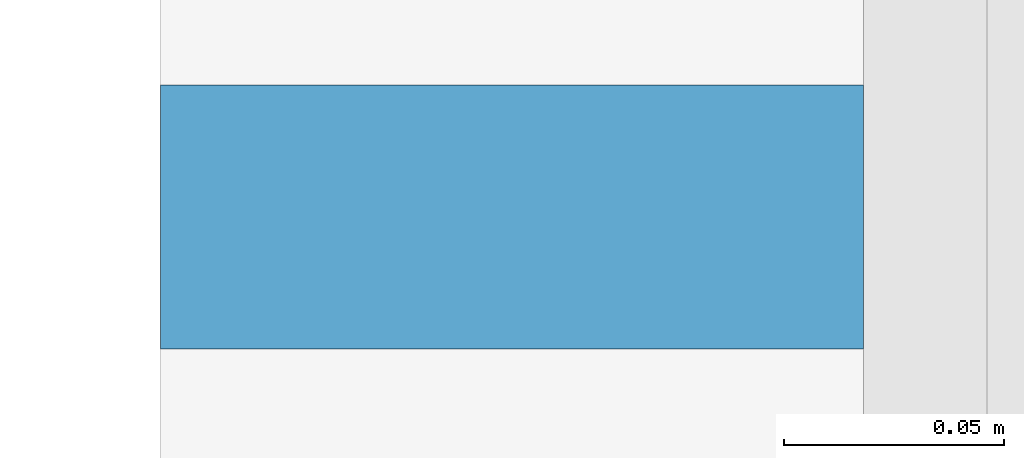
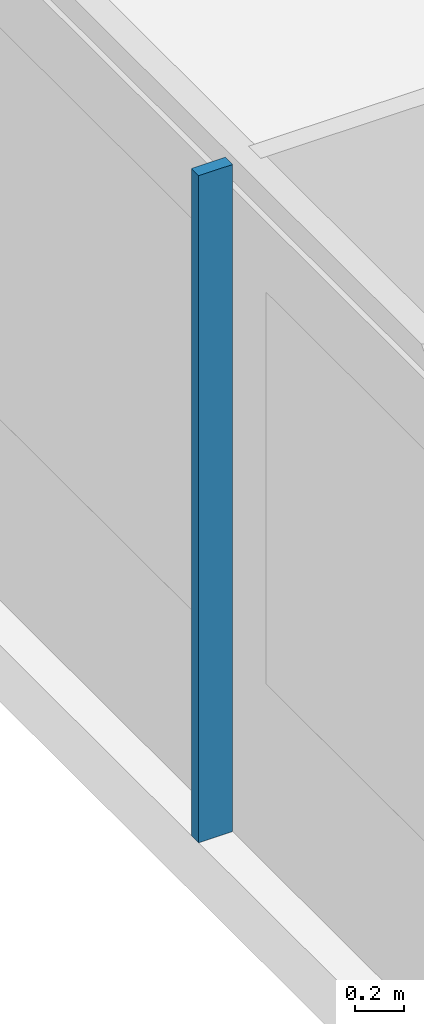
# One storey, part 4 of 30: 1 member, 1 element without a shape of its own.
"""IFC4 building model written with IfcOpenShell, lengths in metres."""

from ifc_helpers import new_model, si_unit, direction, frame, origin, origin_2d, place, context, subcontext, project, spatial, rectangle, extrude, material, material_profile, profile_set, type_object, element, aggregate, save


model = new_model("IFC4")

# Units and contexts
model_context = context("Model", 3, precision=1e-05, world=origin(), true_north=direction((0.0, 1.0)))
body_context = subcontext(model_context, "Body", "Model", "MODEL_VIEW")
ifc_project = project(units=[si_unit("LENGTHUNIT", "METRE"), si_unit("AREAUNIT", "SQUARE_METRE"), si_unit("VOLUMEUNIT", "CUBIC_METRE"), si_unit("PLANEANGLEUNIT", "RADIAN"), si_unit("MASSUNIT", "GRAM", prefix="KILO")], contexts=[model_context])

# Site, building, storey
site_placement = place(None, origin())
site = spatial("IfcSite", under=ifc_project, at=site_placement, CompositionType="ELEMENT")
building_placement = place(site_placement, origin())
building = spatial("IfcBuilding", under=site, at=building_placement, Name="Saffron Gate Tower", CompositionType="ELEMENT")
storey_placement = place(building_placement, frame((0.0, 0.0, 127.64990234375)))
storey = spatial("IfcBuildingStorey", under=building, at=storey_placement, Name="L30", CompositionType="ELEMENT", Elevation=127.64990234375)

# Curtain wall, member
ifc_material = material(Name="Aluminium, bronze anodised", Category="aluminium")
curtain_wall_type = type_object("IfcCurtainWallType", Name="CWS2 curtain wall side facades", PredefinedType="NOTDEFINED", material=ifc_material)
curtain_wall_placement = place(storey_placement, origin())
curtain_wall = element("IfcCurtainWall", 1, at=curtain_wall_placement, inside=storey, type_object=curtain_wall_type, Name="CWS2 run 10", PredefinedType="NOTDEFINED")
ifc_material_profile = material_profile(ifc_material, rectangle(XDim=0.159912109375, YDim=0.06005859375, at=origin_2d()))
ifc_profile_set = profile_set([ifc_material_profile], Name="Aluminium, bronze anodised")
member_type = type_object("IfcMemberType", Name="CWS2 mullion 60x160", PredefinedType="MULLION", material=ifc_profile_set)
member_placement = place(storey_placement, frame((48.080078125, 48.60009765625, 0.0), z_axis=(0.0, 0.0, 1.0), x_axis=(1.0, 0.0, 0.0)))
member = element("IfcMember", 2, at=member_placement, type_object=member_type, Name="CWS2 mullion 4", PredefinedType="MULLION", context=body_context, shape_type="SweptSolid", body=[
    extrude(rectangle(XDim=0.159912109375, YDim=0.06005859375, at=origin_2d()), origin(), (0.0, 0.0, 1.0), 3.320068359375),
])
aggregate(curtain_wall, [member])

save(model, "model.ifc")
